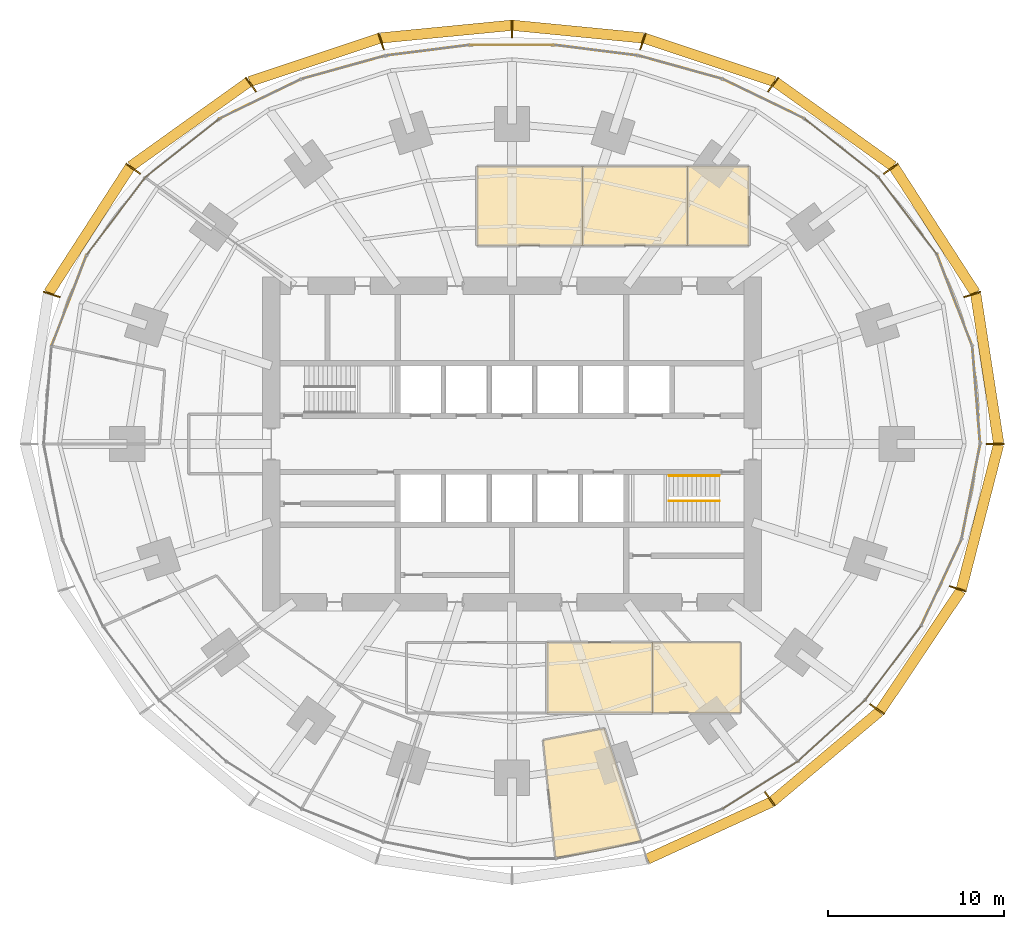
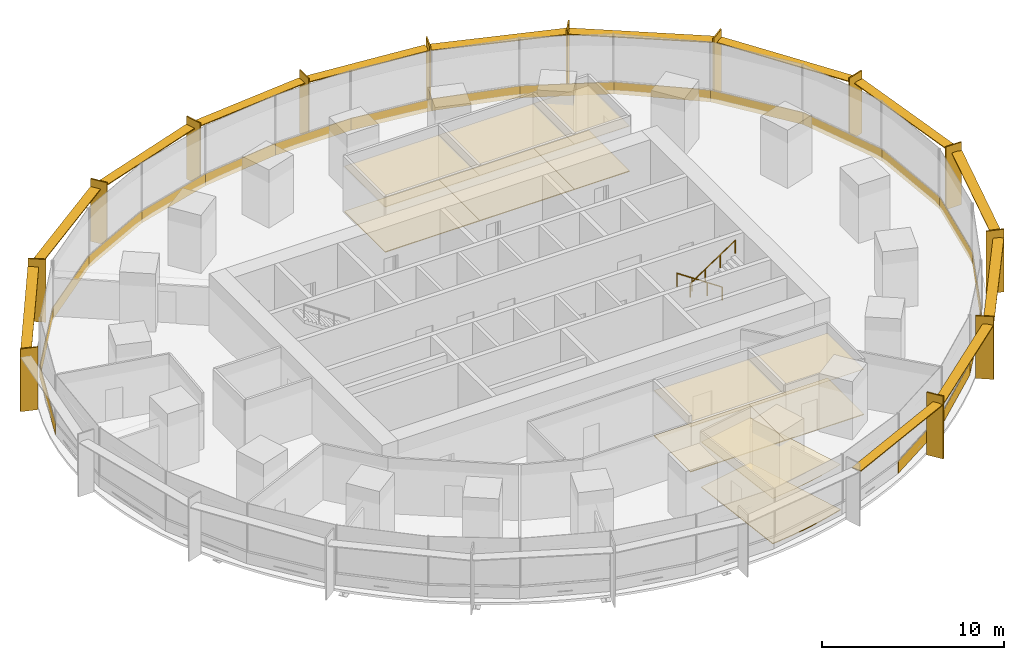
# One storey, part 15 of 15: 31 coverings, 26 shading devices, 2 railings.
"""IFC4 building model written with IfcOpenShell, lengths in metres."""

from ifc_helpers import new_model, si_unit, direction, frame, origin, origin_2d, place, context, subcontext, project, spatial, polyline, rectangle, circle, outline, extrude, material, layer, layer_set, type_object, element, save


model = new_model("IFC4")

# Units and contexts
model_context = context("Model", 3, precision=1e-05, world=origin(), true_north=direction((0.0, 1.0)))
body_context = subcontext(model_context, "Body", "Model", "MODEL_VIEW")
ifc_project = project(units=[si_unit("LENGTHUNIT", "METRE"), si_unit("AREAUNIT", "SQUARE_METRE"), si_unit("VOLUMEUNIT", "CUBIC_METRE"), si_unit("PLANEANGLEUNIT", "RADIAN"), si_unit("MASSUNIT", "GRAM", prefix="KILO")], contexts=[model_context])

# Site, building, storey
site_placement = place(None, origin())
site = spatial("IfcSite", under=ifc_project, at=site_placement, CompositionType="ELEMENT")
building_placement = place(site_placement, origin())
building = spatial("IfcBuilding", under=site, at=building_placement, Name="Marramba Exchange Tower", CompositionType="ELEMENT")
storey_placement = place(building_placement, frame((0.0, 0.0, 57.39990234375)))
storey = spatial("IfcBuildingStorey", under=building, at=storey_placement, Name="L13", CompositionType="ELEMENT", Elevation=57.39990234375)

# Shading devices
ifc_material_1 = material(Name="Aluminium blade, timber-look bronze finish", Category="wood")
ifc_layer_1 = layer(ifc_material_1, 0.080078125)
ifc_layer_set_1 = layer_set([ifc_layer_1], Name="Floor-edge blade 1000x80")
shading_device_type_1 = type_object("IfcShadingDeviceType", Name="Floor-edge blade 1000x80", PredefinedType="USERDEFINED", material=ifc_layer_set_1)
for number, where, z_axis, x_axis, name in (
    (1, (27.5, 0.0, -0.15966796875), (0.0, 0.0, 1.0), (1.0, 0.0, 0.0), "Floor-edge blade FB1 L13 TC01"),
    (2, (26.193115234375, 8.5107421875, -0.15966796875), (0.0, 0.0, 1.0), (0.951056516295, 0.309016994375, 0.0), "Floor-edge blade FB1 L13 TC02"),
    (3, (21.56298828125, 15.66650390625, -0.15966796875), (0.0, 0.0, 1.0), (0.809016994375, 0.587785252292, 0.0), "Floor-edge blade FB1 L13 TC03"),
    (4, (14.857666015625, 20.449951171875, -0.15966796875), (0.0, 0.0, 1.0), (0.587785252292, 0.809016994375, 0.0), "Floor-edge blade FB1 L13 TC04"),
    (5, (7.444091796875, 22.910888671875, -0.15966796875), (0.0, 0.0, 1.0), (0.309016994375, 0.951056516295, 0.0), "Floor-edge blade FB1 L13 TC05"),
    (6, (0.0, 23.6279296875, -0.15966796875), (0.0, 0.0, 1.0), (0.0, 1.0, 0.0), "Floor-edge blade FB1 L13 TC06"),
    (7, (-7.444091796875, 22.910888671875, -0.15966796875), (0.0, 0.0, 1.0), (-0.309016994375, 0.951056516295, 0.0), "Floor-edge blade FB1 L13 TC07"),
    (8, (-14.857666015625, 20.449951171875, -0.15966796875), (0.0, 0.0, 1.0), (-0.587785252292, 0.809016994375, 0.0), "Floor-edge blade FB1 L13 TC08"),
    (9, (-21.56298828125, 15.66650390625, -0.15966796875), (0.0, 0.0, 1.0), (-0.809016994375, 0.587785252292, 0.0), "Floor-edge blade FB1 L13 TC09"),
    (10, (-26.193115234375, 8.5107421875, -0.15966796875), (0.0, 0.0, 1.0), (-0.951056516295, 0.309016994375, 0.0), "Floor-edge blade FB1 L13 TC10"),
    (11, (14.6787109375, -20.20361328125, -0.15966796875), (0.0, 0.0, 1.0), (0.587785252292, -0.809016994375, 0.0), "Floor-edge blade FB1 L13 TC18"),
    (12, (20.773193359375, -15.092529296875, -0.15966796875), (0.0, 0.0, 1.0), (0.809016994375, -0.587785252292, 0.0), "Floor-edge blade FB1 L13 TC19"),
    (13, (25.3740234375, -8.24462890625, -0.15966796875), (0.0, 0.0, 1.0), (0.951056516295, -0.309016994375, 0.0), "Floor-edge blade FB1 L13 TC20"),
):
    element("IfcShadingDevice", number, at=place(storey_placement, frame(where, z_axis=z_axis, x_axis=x_axis)), inside=storey, type_object=shading_device_type_1, Name=name, ObjectType="FIN", PredefinedType="USERDEFINED", context=body_context, shape_type="SweptSolid", body=[
        extrude(rectangle(XDim=1.0, YDim=0.080078125, at=origin_2d()), origin(), (0.0, 0.0, 1.0), 4.199951171875),
    ])

# Coverings
ifc_material_2 = material(Name="Steel raised access floor panels", Category="steel")
ifc_layer_2 = layer(ifc_material_2, 0.050048828125)
ifc_layer_set_2 = layer_set([ifc_layer_2], Name="Raised access floor 300")
covering_type_1 = type_object("IfcCoveringType", Name="Raised access floor 300", PredefinedType="FLOORING", material=ifc_layer_set_2)
covering_1_placement = place(storey_placement, frame((0.0, 0.0, 0.25)))
element("IfcCovering", 14, at=covering_1_placement, inside=storey, type_object=covering_type_1, Name="Raised access floor RAF1 L13 Risk Office", PredefinedType="FLOORING", context=body_context, shape_type="SweptSolid", body=[
    extrude(outline(polyline([(6.1328125, -22.8876953125), (5.89111328125, -22.941650390625), (4.92236328125, -23.15771484375), (4.17138671875, -23.28759765625), (3.701416015625, -23.368896484375), (2.47216796875, -23.5205078125), (1.771728515625, -16.857177734375), (5.259765625, -16.18798828125), (7.330078125, -22.56005859375), (6.1328125, -22.8876953125)])), origin(), (0.0, 0.0, 1.0), 0.050048828125),
])
covering_2_placement = place(storey_placement, frame((0.0, 0.0, 0.25)))
element("IfcCovering", 15, at=covering_2_placement, inside=storey, type_object=covering_type_1, Name="Raised access floor RAF1 L13 Meeting Room 1", PredefinedType="FLOORING", context=body_context, shape_type="SweptSolid", body=[
    extrude(outline(polyline([(4.0, 11.300048828125), (-2.0, 11.300048828125), (-2.0, 15.800048828125), (4.0, 15.800048828125), (4.0, 11.300048828125)])), origin(), (0.0, 0.0, 1.0), 0.050048828125),
])
covering_3_placement = place(storey_placement, frame((0.0, 0.0, 0.25)))
element("IfcCovering", 16, at=covering_3_placement, inside=storey, type_object=covering_type_1, Name="Raised access floor RAF1 L13 Meeting Room 2", PredefinedType="FLOORING", context=body_context, shape_type="SweptSolid", body=[
    extrude(outline(polyline([(10.0, 11.300048828125), (4.0, 11.300048828125), (4.0, 15.800048828125), (10.0, 15.800048828125), (10.0, 11.300048828125)])), origin(), (0.0, 0.0, 1.0), 0.050048828125),
])
covering_4_placement = place(storey_placement, frame((0.0, 0.0, 0.25)))
element("IfcCovering", 17, at=covering_4_placement, inside=storey, type_object=covering_type_1, Name="Raised access floor RAF1 L13 Interview Room", PredefinedType="FLOORING", context=body_context, shape_type="SweptSolid", body=[
    extrude(outline(polyline([(13.5, 11.300048828125), (10.0, 11.300048828125), (10.0, 15.800048828125), (13.5, 15.800048828125), (13.5, 11.300048828125)])), origin(), (0.0, 0.0, 1.0), 0.050048828125),
])
covering_5_placement = place(storey_placement, frame((0.0, 0.0, 0.25)))
element("IfcCovering", 18, at=covering_5_placement, inside=storey, type_object=covering_type_1, Name="Raised access floor RAF1 L13 Data Room", PredefinedType="FLOORING", context=body_context, shape_type="SweptSolid", body=[
    extrude(outline(polyline([(8.0, -15.300048828125), (2.0, -15.300048828125), (2.0, -11.300048828125), (8.0, -11.300048828125), (8.0, -15.300048828125)])), origin(), (0.0, 0.0, 1.0), 0.050048828125),
])
covering_6_placement = place(storey_placement, frame((0.0, 0.0, 0.25)))
element("IfcCovering", 19, at=covering_6_placement, inside=storey, type_object=covering_type_1, Name="Raised access floor RAF1 L13 Print Room", PredefinedType="FLOORING", context=body_context, shape_type="SweptSolid", body=[
    extrude(outline(polyline([(13.0, -11.300048828125), (13.0, -15.300048828125), (8.0, -15.300048828125), (8.0, -11.300048828125), (13.0, -11.300048828125)])), origin(), (0.0, 0.0, 1.0), 0.050048828125),
])

# Shading devices
ifc_material_3 = material(Name="Aluminium sunshade, bronze anodised", Category="aluminium")
ifc_layer_3 = layer(ifc_material_3, 0.06005859375)
ifc_layer_set_3 = layer_set([ifc_layer_3], Name="SUNSHADE blade 600x60")
shading_device_type_2 = type_object("IfcShadingDeviceType", Name="SUNSHADE blade 600x60", PredefinedType="USERDEFINED", material=ifc_layer_set_3)
shading_device_1_placement = place(storey_placement, frame((27.04150390625, 4.2861328125, 3.4599609375), z_axis=(0.0, 0.0, 1.0), x_axis=(-0.151825486228, 0.988407315701, 0.0)))
element("IfcShadingDevice", 20, at=shading_device_1_placement, inside=storey, type_object=shading_device_type_2, Name="Sunshade SS1 L13 bay 01", ObjectType="SUNSHADE", PredefinedType="USERDEFINED", context=body_context, shape_type="SweptSolid", body=[
    extrude(rectangle(XDim=8.593017578125, YDim=0.60009765625, at=origin_2d()), origin(), (0.0, 0.0, 1.0), 0.06005859375),
])
shading_device_2_placement = place(storey_placement, frame((24.053955078125, 12.17822265625, 3.4599609375), z_axis=(0.0, 0.0, 1.0), x_axis=(-0.542596596948, 0.839993412462, 0.0)))
element("IfcShadingDevice", 21, at=shading_device_2_placement, inside=storey, type_object=shading_device_type_2, Name="Sunshade SS1 L13 bay 02", ObjectType="SUNSHADE", PredefinedType="USERDEFINED", context=body_context, shape_type="SweptSolid", body=[
    extrude(rectangle(XDim=8.50537109375, YDim=0.60009765625, at=origin_2d()), origin(), (0.0, 0.0, 1.0), 0.06005859375),
])
shading_device_3_placement = place(storey_placement, frame((18.35009765625, 18.19775390625, 3.4599609375), z_axis=(0.0, 0.0, 1.0), x_axis=(-0.813362978246, 0.581756534659, 0.0)))
element("IfcShadingDevice", 22, at=shading_device_3_placement, inside=storey, type_object=shading_device_type_2, Name="Sunshade SS1 L13 bay 03", ObjectType="SUNSHADE", PredefinedType="USERDEFINED", context=body_context, shape_type="SweptSolid", body=[
    extrude(rectangle(XDim=8.218505859375, YDim=0.60009765625, at=origin_2d()), origin(), (0.0, 0.0, 1.0), 0.06005859375),
])
shading_device_4_placement = place(storey_placement, frame((11.24072265625, 21.8564453125, 3.4599609375), z_axis=(0.0, 0.0, 1.0), x_axis=(-0.948697789537, 0.316184288235, 0.0)))
element("IfcShadingDevice", 23, at=shading_device_4_placement, inside=storey, type_object=shading_device_type_2, Name="Sunshade SS1 L13 bay 04", ObjectType="SUNSHADE", PredefinedType="USERDEFINED", context=body_context, shape_type="SweptSolid", body=[
    extrude(rectangle(XDim=7.793212890625, YDim=0.60009765625, at=origin_2d()), origin(), (0.0, 0.0, 1.0), 0.06005859375),
])
for number, where, z_axis, x_axis, name in (
    (24, (3.7529296875, 23.464599609375, 3.4599609375), (0.0, 0.0, 1.0), (-0.995342876176, 0.096397919302, 0.0), "Sunshade SS1 L13 bay 05"),
    (25, (-3.7529296875, 23.464599609375, 3.4599609375), (0.0, 0.0, 1.0), (-0.995342876176, -0.096397919302, 0.0), "Sunshade SS1 L13 bay 06"),
):
    element("IfcShadingDevice", number, at=place(storey_placement, frame(where, z_axis=z_axis, x_axis=x_axis)), inside=storey, type_object=shading_device_type_2, Name=name, ObjectType="SUNSHADE", PredefinedType="USERDEFINED", context=body_context, shape_type="SweptSolid", body=[
        extrude(rectangle(XDim=7.461181640625, YDim=0.60009765625, at=origin_2d()), origin(), (0.0, 0.0, 1.0), 0.06005859375),
    ])
shading_device_5_placement = place(storey_placement, frame((-11.24072265625, 21.8564453125, 3.4599609375), z_axis=(0.0, 0.0, 1.0), x_axis=(-0.948697789537, -0.316184288235, 0.0)))
element("IfcShadingDevice", 26, at=shading_device_5_placement, inside=storey, type_object=shading_device_type_2, Name="Sunshade SS1 L13 bay 07", ObjectType="SUNSHADE", PredefinedType="USERDEFINED", context=body_context, shape_type="SweptSolid", body=[
    extrude(rectangle(XDim=7.793212890625, YDim=0.60009765625, at=origin_2d()), origin(), (0.0, 0.0, 1.0), 0.06005859375),
])
shading_device_6_placement = place(storey_placement, frame((-18.35009765625, 18.19775390625, 3.4599609375), z_axis=(0.0, 0.0, 1.0), x_axis=(-0.813362978246, -0.581756534659, 0.0)))
element("IfcShadingDevice", 27, at=shading_device_6_placement, inside=storey, type_object=shading_device_type_2, Name="Sunshade SS1 L13 bay 08", ObjectType="SUNSHADE", PredefinedType="USERDEFINED", context=body_context, shape_type="SweptSolid", body=[
    extrude(rectangle(XDim=8.218505859375, YDim=0.60009765625, at=origin_2d()), origin(), (0.0, 0.0, 1.0), 0.06005859375),
])
shading_device_7_placement = place(storey_placement, frame((-24.053955078125, 12.17822265625, 3.4599609375), z_axis=(0.0, 0.0, 1.0), x_axis=(-0.542596596948, -0.839993412462, 0.0)))
element("IfcShadingDevice", 28, at=shading_device_7_placement, inside=storey, type_object=shading_device_type_2, Name="Sunshade SS1 L13 bay 09", ObjectType="SUNSHADE", PredefinedType="USERDEFINED", context=body_context, shape_type="SweptSolid", body=[
    extrude(rectangle(XDim=8.50537109375, YDim=0.60009765625, at=origin_2d()), origin(), (0.0, 0.0, 1.0), 0.06005859375),
])
shading_device_8_placement = place(storey_placement, frame((11.23779296875, -22.0, 3.4599609375), z_axis=(0.0, 0.0, 1.0), x_axis=(0.908703542008, 0.417442059144, 0.0)))
element("IfcShadingDevice", 29, at=shading_device_8_placement, inside=storey, type_object=shading_device_type_2, Name="Sunshade SS1 L13 bay 17", ObjectType="SUNSHADE", PredefinedType="USERDEFINED", context=body_context, shape_type="SweptSolid", body=[
    extrude(rectangle(XDim=7.751953125, YDim=0.60009765625, at=origin_2d()), origin(), (0.0, 0.0, 1.0), 0.06005859375),
])
shading_device_9_placement = place(storey_placement, frame((17.86572265625, -17.787841796875, 3.4599609375), z_axis=(0.0, 0.0, 1.0), x_axis=(0.765776068523, 0.643107310546, 0.0)))
element("IfcShadingDevice", 30, at=shading_device_9_placement, inside=storey, type_object=shading_device_type_2, Name="Sunshade SS1 L13 bay 18", ObjectType="SUNSHADE", PredefinedType="USERDEFINED", context=body_context, shape_type="SweptSolid", body=[
    extrude(rectangle(XDim=7.936279296875, YDim=0.60009765625, at=origin_2d()), origin(), (0.0, 0.0, 1.0), 0.06005859375),
])
shading_device_10_placement = place(storey_placement, frame((23.24951171875, -11.75830078125, 3.4599609375), z_axis=(0.0, 0.0, 1.0), x_axis=(0.556924164761, 0.830563347798, 0.0)))
element("IfcShadingDevice", 31, at=shading_device_10_placement, inside=storey, type_object=shading_device_type_2, Name="Sunshade SS1 L13 bay 19", ObjectType="SUNSHADE", PredefinedType="USERDEFINED", context=body_context, shape_type="SweptSolid", body=[
    extrude(rectangle(XDim=8.232177734375, YDim=0.60009765625, at=origin_2d()), origin(), (0.0, 0.0, 1.0), 0.06005859375),
])
shading_device_11_placement = place(storey_placement, frame((26.632080078125, -4.153076171875, 3.4599609375), z_axis=(0.0, 0.0, 1.0), x_axis=(0.249024641331, 0.968497149201, 0.0)))
element("IfcShadingDevice", 32, at=shading_device_11_placement, inside=storey, type_object=shading_device_type_2, Name="Sunshade SS1 L13 bay 20", ObjectType="SUNSHADE", PredefinedType="USERDEFINED", context=body_context, shape_type="SweptSolid", body=[
    extrude(rectangle(XDim=8.49658203125, YDim=0.60009765625, at=origin_2d()), origin(), (0.0, 0.0, 1.0), 0.06005859375),
])

# Coverings
ifc_material_4 = material(Name="Aluminium spandrel panel, bronze anodised, insulated", Category="aluminium")
ifc_layer_4 = layer(ifc_material_4, 0.050048828125)
ifc_layer_set_4 = layer_set([ifc_layer_4], Name="Spandrel panel 800")
covering_type_2 = type_object("IfcCoveringType", Name="Spandrel panel 800", PredefinedType="CLADDING", material=ifc_layer_set_4)
covering_7_placement = place(storey_placement, frame((26.42578125, 2.78466796875, 0.0), z_axis=(0.0, 0.0, 1.0), x_axis=(-0.080275227657, 0.996772736297, 0.0)))
element("IfcCovering", 33, at=covering_7_placement, inside=storey, type_object=covering_type_2, Name="Spandrel panel SP1 L13 F01", PredefinedType="CLADDING", context=body_context, shape_type="SweptSolid", body=[
    extrude(rectangle(XDim=5.58740234375, YDim=0.050048828125, at=origin_2d()), origin(), (0.0, 0.0, 1.0), 0.800048828125),
])
covering_8_placement = place(storey_placement, frame((25.198974609375, 8.171142578125, 0.0), z_axis=(0.0, 0.0, 1.0), x_axis=(-0.359525512701, 0.933135255854, 0.0)))
element("IfcCovering", 34, at=covering_8_placement, inside=storey, type_object=covering_type_2, Name="Spandrel panel SP1 L13 F02", PredefinedType="CLADDING", context=body_context, shape_type="SweptSolid", body=[
    extrude(rectangle(XDim=5.57666015625, YDim=0.050048828125, at=origin_2d()), origin(), (0.0, 0.0, 1.0), 0.800048828125),
])
covering_9_placement = place(storey_placement, frame((22.535888671875, 12.969970703125, 0.0), z_axis=(0.0, 0.0, 1.0), x_axis=(-0.602989761876, 0.797748924834, 0.0)))
element("IfcCovering", 35, at=covering_9_placement, inside=storey, type_object=covering_type_2, Name="Spandrel panel SP1 L13 F03", PredefinedType="CLADDING", context=body_context, shape_type="SweptSolid", body=[
    extrude(rectangle(XDim=5.5078125, YDim=0.050048828125, at=origin_2d()), origin(), (0.0, 0.0, 1.0), 0.800048828125),
])
covering_10_placement = place(storey_placement, frame((18.767822265625, 16.8349609375, 0.0), z_axis=(0.0, 0.0, 1.0), x_axis=(-0.784087946735, 0.620649733574, 0.0)))
element("IfcCovering", 36, at=covering_10_placement, inside=storey, type_object=covering_type_2, Name="Spandrel panel SP1 L13 F04", PredefinedType="CLADDING", context=body_context, shape_type="SweptSolid", body=[
    extrude(rectangle(XDim=5.375732421875, YDim=0.050048828125, at=origin_2d()), origin(), (0.0, 0.0, 1.0), 0.800048828125),
])
covering_11_placement = place(storey_placement, frame((14.324951171875, 19.634765625, 0.0), z_axis=(0.0, 0.0, 1.0), x_axis=(-0.899963432359, 0.435965389012, 0.0)))
element("IfcCovering", 37, at=covering_11_placement, inside=storey, type_object=covering_type_2, Name="Spandrel panel SP1 L13 F05", PredefinedType="CLADDING", context=body_context, shape_type="SweptSolid", body=[
    extrude(rectangle(XDim=5.1904296875, YDim=0.050048828125, at=origin_2d()), origin(), (0.0, 0.0, 1.0), 0.800048828125),
])
covering_12_placement = place(storey_placement, frame((9.58544921875, 21.434326171875, 0.0), z_axis=(0.0, 0.0, 1.0), x_axis=(-0.963472098411, 0.267808729475, 0.0)))
element("IfcCovering", 38, at=covering_12_placement, inside=storey, type_object=covering_type_2, Name="Spandrel panel SP1 L13 F06", PredefinedType="CLADDING", context=body_context, shape_type="SweptSolid", body=[
    extrude(rectangle(XDim=4.989990234375, YDim=0.050048828125, at=origin_2d()), origin(), (0.0, 0.0, 1.0), 0.800048828125),
])
covering_13_placement = place(storey_placement, frame((4.783935546875, 22.404296875, 0.0), z_axis=(0.0, 0.0, 1.0), x_axis=(-0.992172768222, 0.124872727203, 0.0)))
element("IfcCovering", 39, at=covering_13_placement, inside=storey, type_object=covering_type_2, Name="Spandrel panel SP1 L13 F07", PredefinedType="CLADDING", context=body_context, shape_type="SweptSolid", body=[
    extrude(rectangle(XDim=4.832763671875, YDim=0.050048828125, at=origin_2d()), origin(), (0.0, 0.0, 1.0), 0.800048828125),
])
covering_14_placement = place(storey_placement, frame((0.0, 22.7060546875, 0.0), z_axis=(0.0, 0.0, 1.0), x_axis=(-1.0, 0.0, 0.0)))
element("IfcCovering", 40, at=covering_14_placement, inside=storey, type_object=covering_type_2, Name="Spandrel panel SP1 L13 F08", PredefinedType="CLADDING", context=body_context, shape_type="SweptSolid", body=[
    extrude(rectangle(XDim=4.77294921875, YDim=0.050048828125, at=origin_2d()), origin(), (0.0, 0.0, 1.0), 0.800048828125),
])
covering_15_placement = place(storey_placement, frame((-4.783935546875, 22.404296875, 0.0), z_axis=(0.0, 0.0, 1.0), x_axis=(-0.992172768222, -0.124872727203, 0.0)))
element("IfcCovering", 41, at=covering_15_placement, inside=storey, type_object=covering_type_2, Name="Spandrel panel SP1 L13 F09", PredefinedType="CLADDING", context=body_context, shape_type="SweptSolid", body=[
    extrude(rectangle(XDim=4.832763671875, YDim=0.050048828125, at=origin_2d()), origin(), (0.0, 0.0, 1.0), 0.800048828125),
])
covering_16_placement = place(storey_placement, frame((-9.58544921875, 21.434326171875, 0.0), z_axis=(0.0, 0.0, 1.0), x_axis=(-0.963472098411, -0.267808729475, 0.0)))
element("IfcCovering", 42, at=covering_16_placement, inside=storey, type_object=covering_type_2, Name="Spandrel panel SP1 L13 F10", PredefinedType="CLADDING", context=body_context, shape_type="SweptSolid", body=[
    extrude(rectangle(XDim=4.989990234375, YDim=0.050048828125, at=origin_2d()), origin(), (0.0, 0.0, 1.0), 0.800048828125),
])
covering_17_placement = place(storey_placement, frame((-14.324951171875, 19.634765625, 0.0), z_axis=(0.0, 0.0, 1.0), x_axis=(-0.899963432359, -0.435965389012, 0.0)))
element("IfcCovering", 43, at=covering_17_placement, inside=storey, type_object=covering_type_2, Name="Spandrel panel SP1 L13 F11", PredefinedType="CLADDING", context=body_context, shape_type="SweptSolid", body=[
    extrude(rectangle(XDim=5.1904296875, YDim=0.050048828125, at=origin_2d()), origin(), (0.0, 0.0, 1.0), 0.800048828125),
])
covering_18_placement = place(storey_placement, frame((-18.767822265625, 16.8349609375, 0.0), z_axis=(0.0, 0.0, 1.0), x_axis=(-0.784087946735, -0.620649733574, 0.0)))
element("IfcCovering", 44, at=covering_18_placement, inside=storey, type_object=covering_type_2, Name="Spandrel panel SP1 L13 F12", PredefinedType="CLADDING", context=body_context, shape_type="SweptSolid", body=[
    extrude(rectangle(XDim=5.375732421875, YDim=0.050048828125, at=origin_2d()), origin(), (0.0, 0.0, 1.0), 0.800048828125),
])
covering_19_placement = place(storey_placement, frame((-22.535888671875, 12.969970703125, 0.0), z_axis=(0.0, 0.0, 1.0), x_axis=(-0.602989761876, -0.797748924834, 0.0)))
element("IfcCovering", 45, at=covering_19_placement, inside=storey, type_object=covering_type_2, Name="Spandrel panel SP1 L13 F13", PredefinedType="CLADDING", context=body_context, shape_type="SweptSolid", body=[
    extrude(rectangle(XDim=5.5078125, YDim=0.050048828125, at=origin_2d()), origin(), (0.0, 0.0, 1.0), 0.800048828125),
])
covering_20_placement = place(storey_placement, frame((-25.198974609375, 8.171142578125, 0.0), z_axis=(0.0, 0.0, 1.0), x_axis=(-0.359525512701, -0.933135255854, 0.0)))
element("IfcCovering", 46, at=covering_20_placement, inside=storey, type_object=covering_type_2, Name="Spandrel panel SP1 L13 F14", PredefinedType="CLADDING", context=body_context, shape_type="SweptSolid", body=[
    extrude(rectangle(XDim=5.57666015625, YDim=0.050048828125, at=origin_2d()), origin(), (0.0, 0.0, 1.0), 0.800048828125),
])
covering_21_placement = place(storey_placement, frame((14.128662109375, -19.416748046875, 0.0), z_axis=(0.0, 0.0, 1.0), x_axis=(0.845790829799, 0.533514641062, 0.0)))
element("IfcCovering", 47, at=covering_21_placement, inside=storey, type_object=covering_type_2, Name="Spandrel panel SP1 L13 F26", PredefinedType="CLADDING", context=body_context, shape_type="SweptSolid", body=[
    extrude(rectangle(XDim=5.05859375, YDim=0.050048828125, at=origin_2d()), origin(), (0.0, 0.0, 1.0), 0.800048828125),
])
covering_22_placement = place(storey_placement, frame((18.1767578125, -16.330078125, 0.0), z_axis=(0.0, 0.0, 1.0), x_axis=(0.739589582203, 0.673058132628, 0.0)))
element("IfcCovering", 48, at=covering_22_placement, inside=storey, type_object=covering_type_2, Name="Spandrel panel SP1 L13 F27", PredefinedType="CLADDING", context=body_context, shape_type="SweptSolid", body=[
    extrude(rectangle(XDim=5.161865234375, YDim=0.050048828125, at=origin_2d()), origin(), (0.0, 0.0, 1.0), 0.800048828125),
])
covering_23_placement = place(storey_placement, frame((21.683349609375, -12.479248046875, 0.0), z_axis=(0.0, 0.0, 1.0), x_axis=(0.603040469481, 0.797710594243, 0.0)))
element("IfcCovering", 49, at=covering_23_placement, inside=storey, type_object=covering_type_2, Name="Spandrel panel SP1 L13 F28", PredefinedType="CLADDING", context=body_context, shape_type="SweptSolid", body=[
    extrude(rectangle(XDim=5.299560546875, YDim=0.050048828125, at=origin_2d()), origin(), (0.0, 0.0, 1.0), 0.800048828125),
])
covering_24_placement = place(storey_placement, frame((24.432861328125, -7.90185546875, 0.0), z_axis=(0.0, 0.0, 1.0), x_axis=(0.423477213559, 0.905906755464, 0.0)))
element("IfcCovering", 50, at=covering_24_placement, inside=storey, type_object=covering_type_2, Name="Spandrel panel SP1 L13 F29", PredefinedType="CLADDING", context=body_context, shape_type="SweptSolid", body=[
    extrude(rectangle(XDim=5.439208984375, YDim=0.050048828125, at=origin_2d()), origin(), (0.0, 0.0, 1.0), 0.800048828125),
])
covering_25_placement = place(storey_placement, frame((26.117431640625, -2.718994140625, 0.0), z_axis=(0.0, 0.0, 1.0), x_axis=(0.19224858127, 0.981346260501, 0.0)))
element("IfcCovering", 51, at=covering_25_placement, inside=storey, type_object=covering_type_2, Name="Spandrel panel SP1 L13 F30", PredefinedType="CLADDING", context=body_context, shape_type="SweptSolid", body=[
    extrude(rectangle(XDim=5.54150390625, YDim=0.050048828125, at=origin_2d()), origin(), (0.0, 0.0, 1.0), 0.800048828125),
])

# Railings
ifc_material_5 = material(Name="Stainless steel handrail", Category="steel")
railing_type = type_object("IfcRailingType", Name="Stair handrail 900", PredefinedType="HANDRAIL", material=ifc_material_5)
railing_1_placement = place(storey_placement, frame((11.800048828125, -1.800048828125, 0.175048828125)))
element("IfcRailing", 52, at=railing_1_placement, inside=storey, type_object=railing_type, Name="Handrail HR1 ST2 L13 flight 1", PredefinedType="HANDRAIL", context=body_context, shape_type="SweptSolid", body=[
    extrude(circle(Radius=0.02392578125, at=origin_2d()), frame((0.0, 0.0, 0.8759765625), z_axis=(-0.829590901723, 0.0, 0.558371682465), x_axis=(0.0, -1.0, 0.0)), (0.0, 0.0, 1.0), 3.447509765625),
    extrude(circle(Radius=0.02099609375, at=origin_2d()), origin(), (0.0, 0.0, 1.0), 0.851806640625),
    extrude(circle(Radius=0.02099609375, at=origin_2d()), frame((-0.953369140625, 0.0, 0.6416015625)), (0.0, 0.0, 1.0), 0.851806640625),
    extrude(circle(Radius=0.02099609375, at=origin_2d()), frame((-1.90673828125, 0.0, 1.283447265625)), (0.0, 0.0, 1.0), 0.851806640625),
    extrude(circle(Radius=0.02099609375, at=origin_2d()), frame((-2.860107421875, 0.0, 1.925048828125)), (0.0, 0.0, 1.0), 0.851806640625),
])
railing_2_placement = place(storey_placement, frame((8.93994140625, -3.25, 2.275146484375)))
element("IfcRailing", 53, at=railing_2_placement, inside=storey, type_object=railing_type, Name="Handrail HR1 ST2 L13 flight 2", PredefinedType="HANDRAIL", context=body_context, shape_type="SweptSolid", body=[
    extrude(circle(Radius=0.02392578125, at=origin_2d()), frame((0.0, 0.0, 0.8759765625), z_axis=(0.829590901723, 0.0, 0.558371682465), x_axis=(0.0, 1.0, 0.0)), (0.0, 0.0, 1.0), 3.447509765625),
    extrude(circle(Radius=0.02099609375, at=origin_2d()), origin(), (0.0, 0.0, 1.0), 0.851806640625),
    extrude(circle(Radius=0.02099609375, at=origin_2d()), frame((0.953369140625, 0.0, 0.6416015625)), (0.0, 0.0, 1.0), 0.851806640625),
    extrude(circle(Radius=0.02099609375, at=origin_2d()), frame((1.90673828125, 0.0, 1.283447265625)), (0.0, 0.0, 1.0), 0.851806640625),
    extrude(circle(Radius=0.02099609375, at=origin_2d()), frame((2.860107421875, 0.0, 1.925048828125)), (0.0, 0.0, 1.0), 0.851806640625),
])

# Coverings
ifc_material_6 = material(Name="Mineral fibre ceiling tiles", Category="gypsum")
ifc_layer_5 = layer(ifc_material_6, 0.02001953125)
ifc_layer_set_5 = layer_set([ifc_layer_5], Name="Suspended ceiling 20")
covering_type_3 = type_object("IfcCoveringType", Name="Suspended ceiling 20", PredefinedType="CEILING", material=ifc_layer_set_5)
covering_26_placement = place(storey_placement, frame((0.0, 0.0, 3.300048828125)))
element("IfcCovering", 54, at=covering_26_placement, inside=storey, type_object=covering_type_3, Name="Ceiling CL1 L13 Risk Office", PredefinedType="CEILING", context=body_context, shape_type="SweptSolid", body=[
    extrude(outline(polyline([(6.1328125, -22.8876953125), (5.89111328125, -22.941650390625), (4.92236328125, -23.15771484375), (4.17138671875, -23.28759765625), (3.701416015625, -23.368896484375), (2.47216796875, -23.5205078125), (1.771728515625, -16.857177734375), (5.259765625, -16.18798828125), (7.330078125, -22.56005859375), (6.1328125, -22.8876953125)])), origin(), (0.0, 0.0, 1.0), 0.02001953125),
])
covering_27_placement = place(storey_placement, frame((0.0, 0.0, 3.300048828125)))
element("IfcCovering", 55, at=covering_27_placement, inside=storey, type_object=covering_type_3, Name="Ceiling CL1 L13 Meeting Room 1", PredefinedType="CEILING", context=body_context, shape_type="SweptSolid", body=[
    extrude(outline(polyline([(4.0, 11.300048828125), (-2.0, 11.300048828125), (-2.0, 15.800048828125), (4.0, 15.800048828125), (4.0, 11.300048828125)])), origin(), (0.0, 0.0, 1.0), 0.02001953125),
])
covering_28_placement = place(storey_placement, frame((0.0, 0.0, 3.300048828125)))
element("IfcCovering", 56, at=covering_28_placement, inside=storey, type_object=covering_type_3, Name="Ceiling CL1 L13 Meeting Room 2", PredefinedType="CEILING", context=body_context, shape_type="SweptSolid", body=[
    extrude(outline(polyline([(10.0, 11.300048828125), (4.0, 11.300048828125), (4.0, 15.800048828125), (10.0, 15.800048828125), (10.0, 11.300048828125)])), origin(), (0.0, 0.0, 1.0), 0.02001953125),
])
covering_29_placement = place(storey_placement, frame((0.0, 0.0, 3.300048828125)))
element("IfcCovering", 57, at=covering_29_placement, inside=storey, type_object=covering_type_3, Name="Ceiling CL1 L13 Interview Room", PredefinedType="CEILING", context=body_context, shape_type="SweptSolid", body=[
    extrude(outline(polyline([(13.5, 11.300048828125), (10.0, 11.300048828125), (10.0, 15.800048828125), (13.5, 15.800048828125), (13.5, 11.300048828125)])), origin(), (0.0, 0.0, 1.0), 0.02001953125),
])
covering_30_placement = place(storey_placement, frame((0.0, 0.0, 3.300048828125)))
element("IfcCovering", 58, at=covering_30_placement, inside=storey, type_object=covering_type_3, Name="Ceiling CL1 L13 Data Room", PredefinedType="CEILING", context=body_context, shape_type="SweptSolid", body=[
    extrude(outline(polyline([(8.0, -15.300048828125), (2.0, -15.300048828125), (2.0, -11.300048828125), (8.0, -11.300048828125), (8.0, -15.300048828125)])), origin(), (0.0, 0.0, 1.0), 0.02001953125),
])
covering_31_placement = place(storey_placement, frame((0.0, 0.0, 3.300048828125)))
element("IfcCovering", 59, at=covering_31_placement, inside=storey, type_object=covering_type_3, Name="Ceiling CL1 L13 Print Room", PredefinedType="CEILING", context=body_context, shape_type="SweptSolid", body=[
    extrude(outline(polyline([(13.0, -11.300048828125), (13.0, -15.300048828125), (8.0, -15.300048828125), (8.0, -11.300048828125), (13.0, -11.300048828125)])), origin(), (0.0, 0.0, 1.0), 0.02001953125),
])

save(model, "model.ifc")
